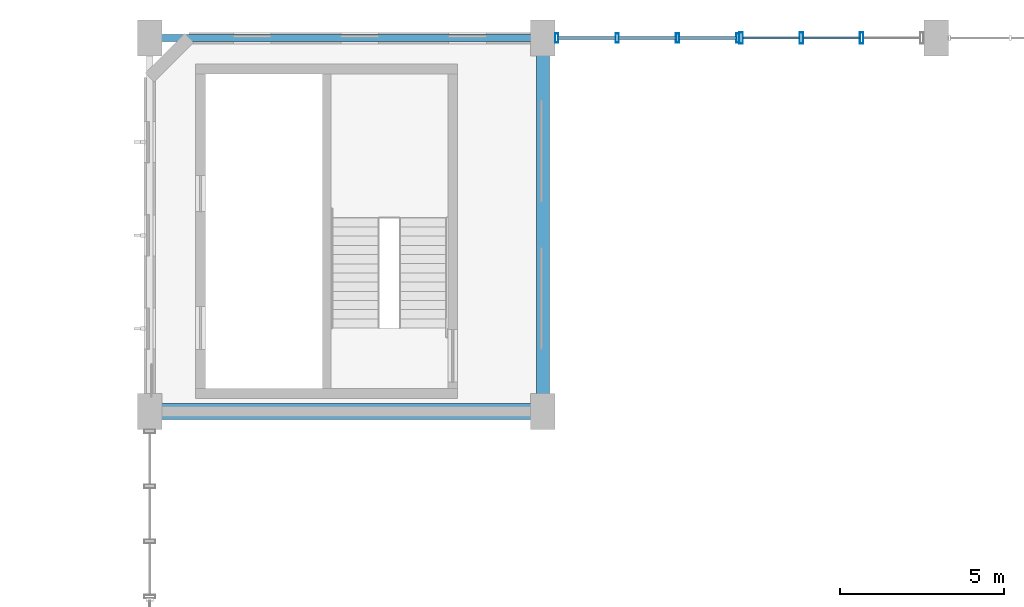
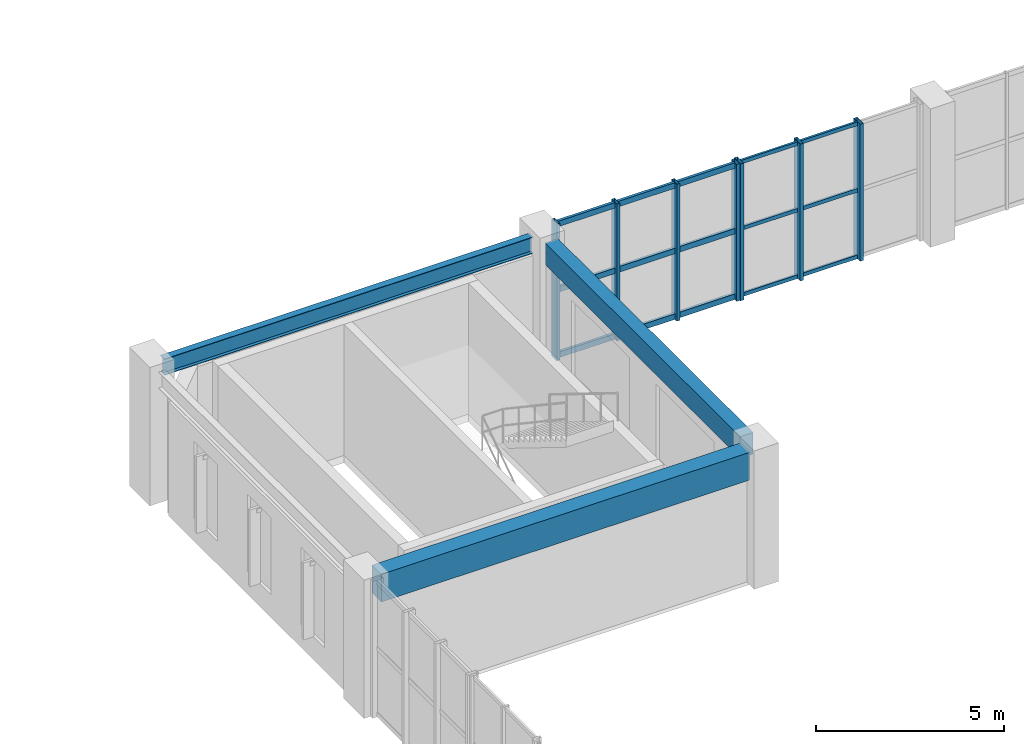
# One storey, part 50 of 80: 22 members, 3 beams, 2 elements without a shape of their own.
"""IFC4 building model written with IfcOpenShell, lengths in metres."""

from ifc_helpers import new_model, si_unit, direction, frame, origin, origin_2d, place, context, subcontext, project, spatial, rectangle, hollow_rectangle, i_section, extrude, material, layer, layer_set, material_profile, profile_set, type_object, element, aggregate, save


model = new_model("IFC4")

# Units and contexts
model_context = context("Model", 3, precision=1e-05, world=origin(), true_north=direction((0.0, 1.0)))
body_context = subcontext(model_context, "Body", "Model", "MODEL_VIEW")
ifc_project = project(units=[si_unit("LENGTHUNIT", "METRE"), si_unit("AREAUNIT", "SQUARE_METRE"), si_unit("VOLUMEUNIT", "CUBIC_METRE"), si_unit("PLANEANGLEUNIT", "RADIAN"), si_unit("MASSUNIT", "GRAM", prefix="KILO"), si_unit("POWERUNIT", "WATT"), si_unit("THERMODYNAMICTEMPERATUREUNIT", "KELVIN")], contexts=[model_context])

# Site, building, storey
site_placement = place(None, origin())
site = spatial("IfcSite", under=ifc_project, at=site_placement, CompositionType="ELEMENT")
building_placement = place(site_placement, origin())
building = spatial("IfcBuilding", under=site, at=building_placement, Name="Kelmbourne Parkland Aquatics Centre", CompositionType="ELEMENT")
storey_placement = place(building_placement, frame((0.0, 0.0, 10.199951171875)))
storey = spatial("IfcBuildingStorey", under=building, at=storey_placement, Name="L02", CompositionType="ELEMENT", Elevation=10.199951171875)

# Beams
ifc_material_1 = material(Name="Concrete C40/50", Category="concrete")
ifc_material_profile_1 = material_profile(ifc_material_1, rectangle(XDim=0.5, YDim=0.89990234375, at=origin_2d()), Name="RC 500x900")
ifc_profile_set_1 = profile_set([ifc_material_profile_1], Name="Concrete C40/50")
beam_type_1 = type_object("IfcBeamType", Name="BM-G03", PredefinedType="BEAM", material=ifc_profile_set_1)
beam_1_placement = place(storey_placement, frame((128.330078125, 103.39990234375, 3.81005859375), z_axis=(1.0, 0.0, 0.0), x_axis=(0.0, 1.0, 0.0)))
element("IfcBeam", 1, at=beam_1_placement, inside=storey, type_object=beam_type_1, Name="Primary girder P-Q Grid 13 (L03)", PredefinedType="BEAM", context=body_context, shape_type="SweptSolid", body=[
    extrude(rectangle(XDim=0.5, YDim=0.89990234375, at=origin_2d()), origin(), (0.0, 0.0, 1.0), 11.33984375),
])
ifc_material_profile_2 = material_profile(ifc_material_1, rectangle(XDim=0.39990234375, YDim=0.699951171875, at=origin_2d()), Name="RC 400x700")
ifc_profile_set_2 = profile_set([ifc_material_profile_2], Name="Concrete C40/50")
beam_type_2 = type_object("IfcBeamType", Name="BM-G05", PredefinedType="BEAM", material=ifc_profile_set_2)
beam_2_placement = place(storey_placement, frame((140.0, 103.905029296875, 3.91015625), z_axis=(0.0, 1.0, 0.0), x_axis=(-1.0, 0.0, 0.0)))
element("IfcBeam", 2, at=beam_2_placement, inside=storey, type_object=beam_type_2, Name="Primary girder 13-14 Grid Q (L03)", PredefinedType="BEAM", context=body_context, shape_type="SweptSolid", body=[
    extrude(rectangle(XDim=0.39990234375, YDim=0.699951171875, at=origin_2d()), origin(), (0.0, 0.0, 1.0), 10.389892578125),
])
ifc_material_2 = material(Name="Structural steel AS/NZS 3679.1 Grade 300", Category="steel")
ifc_material_profile_3 = material_profile(ifc_material_2, i_section(OverallWidth=0.208984375, OverallDepth=0.532958984375, WebThickness=0.01025390625, FlangeThickness=0.015625, at=origin_2d()), Name="530UB92.4")
ifc_profile_set_3 = profile_set([ifc_material_profile_3], Name="Structural steel AS/NZS 3679.1 Grade 300")
beam_type_3 = type_object("IfcBeamType", Name="BM-SP02", PredefinedType="SPANDREL", material=ifc_profile_set_3)
beam_3_placement = place(storey_placement, frame((128.330078125, 114.800048828125, 3.99365234375), z_axis=(1.0, 0.0, 0.0), x_axis=(0.0, 1.0, 0.0)))
element("IfcBeam", 3, at=beam_3_placement, inside=storey, type_object=beam_type_3, Name="Perimeter spandrel P-Q Grid 14 (L03)", PredefinedType="SPANDREL", context=body_context, shape_type="SweptSolid", body=[
    extrude(i_section(OverallWidth=0.208984375, OverallDepth=0.532958984375, WebThickness=0.01025390625, FlangeThickness=0.015625, at=origin_2d()), origin(), (0.0, 0.0, 1.0), 11.33984375),
])

# Curtain wall, members
ifc_material_3 = material(Name="Thermally broken anodised aluminium framing", Category="aluminium")
ifc_layer_1 = layer(ifc_material_3, 0.179931640625)
ifc_layer_set_1 = layer_set([ifc_layer_1], Name="Thermally broken anodised aluminium framing")
curtain_wall_type_1 = type_object("IfcCurtainWallType", Name="CW-23", PredefinedType="NOTDEFINED", material=ifc_layer_set_1)
curtain_wall_1_placement = place(storey_placement, origin())
curtain_wall_1 = element("IfcCurtainWall", 4, at=curtain_wall_1_placement, inside=storey, type_object=curtain_wall_type_1, Name="Wave-hall clerestory curtain wall CW-L02-143", PredefinedType="NOTDEFINED")
ifc_material_profile_4 = material_profile(ifc_material_3, hollow_rectangle(XDim=0.094970703125, YDim=0.280029296875, WallThickness=0.005615234375, at=origin_2d()), Name="CW-M 95x280")
ifc_profile_set_4 = profile_set([ifc_material_profile_4], Name="Thermally broken anodised aluminium framing")
member_type_1 = type_object("IfcMemberType", Name="MB-MUL-4", PredefinedType="MULLION", material=ifc_profile_set_4)
member_1_placement = place(storey_placement, frame((140.424560546875, 114.800048828125, 0.0), z_axis=(0.0, 0.0, 1.0), x_axis=(1.0, 0.0, 0.0)))
member_1 = element("IfcMember", 5, at=member_1_placement, type_object=member_type_1, Name="CW-L02-143 mullion 0", PredefinedType="MULLION", context=body_context, shape_type="SweptSolid", body=[
    extrude(hollow_rectangle(XDim=0.094970703125, YDim=0.280029296875, WallThickness=0.005615234375, at=origin_2d()), origin(), (0.0, 0.0, 1.0), 4.449951171875),
])
member_2_placement = place(storey_placement, frame((142.26708984375, 114.800048828125, 0.0), z_axis=(0.0, 0.0, 1.0), x_axis=(1.0, 0.0, 0.0)))
member_2 = element("IfcMember", 6, at=member_2_placement, type_object=member_type_1, Name="CW-L02-143 mullion 1", PredefinedType="MULLION", context=body_context, shape_type="SweptSolid", body=[
    extrude(hollow_rectangle(XDim=0.094970703125, YDim=0.280029296875, WallThickness=0.005615234375, at=origin_2d()), origin(), (0.0, 0.0, 1.0), 4.449951171875),
])
member_3_placement = place(storey_placement, frame((144.10986328125, 114.800048828125, 0.0), z_axis=(0.0, 0.0, 1.0), x_axis=(1.0, 0.0, 0.0)))
member_3 = element("IfcMember", 7, at=member_3_placement, type_object=member_type_1, Name="CW-L02-143 mullion 2", PredefinedType="MULLION", context=body_context, shape_type="SweptSolid", body=[
    extrude(hollow_rectangle(XDim=0.094970703125, YDim=0.280029296875, WallThickness=0.005615234375, at=origin_2d()), origin(), (0.0, 0.0, 1.0), 4.449951171875),
])
member_4_placement = place(storey_placement, frame((145.952392578125, 114.800048828125, 0.0), z_axis=(0.0, 0.0, 1.0), x_axis=(1.0, 0.0, 0.0)))
member_4 = element("IfcMember", 8, at=member_4_placement, type_object=member_type_1, Name="CW-L02-143 mullion 3", PredefinedType="MULLION", context=body_context, shape_type="SweptSolid", body=[
    extrude(hollow_rectangle(XDim=0.094970703125, YDim=0.280029296875, WallThickness=0.005615234375, at=origin_2d()), origin(), (0.0, 0.0, 1.0), 4.449951171875),
])

ifc_layer_2 = layer(ifc_material_3, 0.179931640625)
ifc_layer_set_2 = layer_set([ifc_layer_2], Name="Thermally broken anodised aluminium framing")
curtain_wall_type_2 = type_object("IfcCurtainWallType", Name="CW-24", PredefinedType="NOTDEFINED", material=ifc_layer_set_2)
curtain_wall_2_placement = place(storey_placement, origin())
curtain_wall_2 = element("IfcCurtainWall", 9, at=curtain_wall_2_placement, inside=storey, type_object=curtain_wall_type_2, Name="Wave-hall clerestory curtain wall CW-L02-144", PredefinedType="NOTDEFINED")
ifc_material_profile_5 = material_profile(ifc_material_3, hollow_rectangle(XDim=0.10498046875, YDim=0.340087890625, WallThickness=0.006103515625, at=origin_2d()), Name="CW-M 105x340")
ifc_profile_set_5 = profile_set([ifc_material_profile_5], Name="Thermally broken anodised aluminium framing")
member_type_2 = type_object("IfcMemberType", Name="MB-MUL-5", PredefinedType="MULLION", material=ifc_profile_set_5)
member_5_placement = place(storey_placement, frame((146.052490234375, 114.800048828125, 0.0), z_axis=(0.0, 0.0, 1.0), x_axis=(1.0, 0.0, 0.0)))
member_5 = element("IfcMember", 10, at=member_5_placement, type_object=member_type_2, Name="CW-L02-144 mullion 0", PredefinedType="MULLION", context=body_context, shape_type="SweptSolid", body=[
    extrude(hollow_rectangle(XDim=0.10498046875, YDim=0.340087890625, WallThickness=0.006103515625, at=origin_2d()), origin(), (0.0, 0.0, 1.0), 4.449951171875),
])
member_6_placement = place(storey_placement, frame((147.891845703125, 114.800048828125, 0.0), z_axis=(0.0, 0.0, 1.0), x_axis=(1.0, 0.0, 0.0)))
member_6 = element("IfcMember", 11, at=member_6_placement, type_object=member_type_2, Name="CW-L02-144 mullion 1", PredefinedType="MULLION", context=body_context, shape_type="SweptSolid", body=[
    extrude(hollow_rectangle(XDim=0.10498046875, YDim=0.340087890625, WallThickness=0.006103515625, at=origin_2d()), origin(), (0.0, 0.0, 1.0), 4.449951171875),
])
member_7_placement = place(storey_placement, frame((149.731201171875, 114.800048828125, 0.0), z_axis=(0.0, 0.0, 1.0), x_axis=(1.0, 0.0, 0.0)))
member_7 = element("IfcMember", 12, at=member_7_placement, type_object=member_type_2, Name="CW-L02-144 mullion 2", PredefinedType="MULLION", context=body_context, shape_type="SweptSolid", body=[
    extrude(hollow_rectangle(XDim=0.10498046875, YDim=0.340087890625, WallThickness=0.006103515625, at=origin_2d()), origin(), (0.0, 0.0, 1.0), 4.449951171875),
])
ifc_material_profile_6 = material_profile(ifc_material_3, hollow_rectangle(XDim=0.06494140625, YDim=0.1201171875, WallThickness=0.00341796875, at=origin_2d()), Name="CW-T 65x120")
ifc_profile_set_6 = profile_set([ifc_material_profile_6], Name="Thermally broken anodised aluminium framing")
member_type_3 = type_object("IfcMemberType", Name="MB-TRN-1", PredefinedType="USERDEFINED", material=ifc_profile_set_6)
member_8_placement = place(storey_placement, frame((146.10107421875, 114.800048828125, 0.06298828125), z_axis=(1.0, 0.0, 0.0), x_axis=(0.0, 1.0, 0.0)))
member_8 = element("IfcMember", 13, at=member_8_placement, type_object=member_type_3, Name="CW-L02-144 transom 0-0", ObjectType="TRANSOM", PredefinedType="USERDEFINED", context=body_context, shape_type="SweptSolid", body=[
    extrude(hollow_rectangle(XDim=0.06494140625, YDim=0.1201171875, WallThickness=0.00341796875, at=origin_2d()), origin(), (0.0, 0.0, 1.0), 1.7421875),
])
member_9_placement = place(storey_placement, frame((147.940185546875, 114.800048828125, 0.06298828125), z_axis=(1.0, 0.0, 0.0), x_axis=(0.0, 1.0, 0.0)))
member_9 = element("IfcMember", 14, at=member_9_placement, type_object=member_type_3, Name="CW-L02-144 transom 0-1", ObjectType="TRANSOM", PredefinedType="USERDEFINED", context=body_context, shape_type="SweptSolid", body=[
    extrude(hollow_rectangle(XDim=0.06494140625, YDim=0.1201171875, WallThickness=0.00341796875, at=origin_2d()), origin(), (0.0, 0.0, 1.0), 1.742431640625),
])
member_10_placement = place(storey_placement, frame((146.10107421875, 114.800048828125, 2.22509765625), z_axis=(1.0, 0.0, 0.0), x_axis=(0.0, 1.0, 0.0)))
member_10 = element("IfcMember", 15, at=member_10_placement, type_object=member_type_3, Name="CW-L02-144 transom 1-0", ObjectType="TRANSOM", PredefinedType="USERDEFINED", context=body_context, shape_type="SweptSolid", body=[
    extrude(hollow_rectangle(XDim=0.06494140625, YDim=0.1201171875, WallThickness=0.00341796875, at=origin_2d()), origin(), (0.0, 0.0, 1.0), 1.7421875),
])
member_11_placement = place(storey_placement, frame((147.940185546875, 114.800048828125, 2.22509765625), z_axis=(1.0, 0.0, 0.0), x_axis=(0.0, 1.0, 0.0)))
member_11 = element("IfcMember", 16, at=member_11_placement, type_object=member_type_3, Name="CW-L02-144 transom 1-1", ObjectType="TRANSOM", PredefinedType="USERDEFINED", context=body_context, shape_type="SweptSolid", body=[
    extrude(hollow_rectangle(XDim=0.06494140625, YDim=0.1201171875, WallThickness=0.00341796875, at=origin_2d()), origin(), (0.0, 0.0, 1.0), 1.742431640625),
])
member_12_placement = place(storey_placement, frame((146.10107421875, 114.800048828125, 4.386962890625), z_axis=(1.0, 0.0, 0.0), x_axis=(0.0, 1.0, 0.0)))
member_12 = element("IfcMember", 17, at=member_12_placement, type_object=member_type_3, Name="CW-L02-144 transom 2-0", ObjectType="TRANSOM", PredefinedType="USERDEFINED", context=body_context, shape_type="SweptSolid", body=[
    extrude(hollow_rectangle(XDim=0.06494140625, YDim=0.1201171875, WallThickness=0.00341796875, at=origin_2d()), origin(), (0.0, 0.0, 1.0), 1.7421875),
])
member_13_placement = place(storey_placement, frame((147.940185546875, 114.800048828125, 4.386962890625), z_axis=(1.0, 0.0, 0.0), x_axis=(0.0, 1.0, 0.0)))
member_13 = element("IfcMember", 18, at=member_13_placement, type_object=member_type_3, Name="CW-L02-144 transom 2-1", ObjectType="TRANSOM", PredefinedType="USERDEFINED", context=body_context, shape_type="SweptSolid", body=[
    extrude(hollow_rectangle(XDim=0.06494140625, YDim=0.1201171875, WallThickness=0.00341796875, at=origin_2d()), origin(), (0.0, 0.0, 1.0), 1.742431640625),
])
aggregate(curtain_wall_2, [member_5, member_6, member_7, member_8, member_9, member_10, member_11, member_12, member_13])

# Member
ifc_material_profile_7 = material_profile(ifc_material_3, hollow_rectangle(XDim=0.0849609375, YDim=0.179931640625, WallThickness=0.00439453125, at=origin_2d()), Name="CW-T 85x180")
ifc_profile_set_7 = profile_set([ifc_material_profile_7], Name="Thermally broken anodised aluminium framing")
member_type_4 = type_object("IfcMemberType", Name="MB-TRN-3", PredefinedType="USERDEFINED", material=ifc_profile_set_7)
member_14_placement = place(storey_placement, frame((140.468017578125, 114.800048828125, 0.093017578125), z_axis=(1.0, 0.0, 0.0), x_axis=(0.0, 1.0, 0.0)))
member_14 = element("IfcMember", 19, at=member_14_placement, type_object=member_type_4, Name="CW-L02-143 transom 0-0", ObjectType="TRANSOM", PredefinedType="USERDEFINED", context=body_context, shape_type="SweptSolid", body=[
    extrude(hollow_rectangle(XDim=0.0849609375, YDim=0.179931640625, WallThickness=0.00439453125, at=origin_2d()), origin(), (0.0, 0.0, 1.0), 1.755615234375),
])

member_15_placement = place(storey_placement, frame((142.310791015625, 114.800048828125, 0.093017578125), z_axis=(1.0, 0.0, 0.0), x_axis=(0.0, 1.0, 0.0)))
member_15 = element("IfcMember", 20, at=member_15_placement, type_object=member_type_4, Name="CW-L02-143 transom 0-1", ObjectType="TRANSOM", PredefinedType="USERDEFINED", context=body_context, shape_type="SweptSolid", body=[
    extrude(hollow_rectangle(XDim=0.0849609375, YDim=0.179931640625, WallThickness=0.00439453125, at=origin_2d()), origin(), (0.0, 0.0, 1.0), 1.755615234375),
])

member_16_placement = place(storey_placement, frame((144.1533203125, 114.800048828125, 0.093017578125), z_axis=(1.0, 0.0, 0.0), x_axis=(0.0, 1.0, 0.0)))
member_16 = element("IfcMember", 21, at=member_16_placement, type_object=member_type_4, Name="CW-L02-143 transom 0-2", ObjectType="TRANSOM", PredefinedType="USERDEFINED", context=body_context, shape_type="SweptSolid", body=[
    extrude(hollow_rectangle(XDim=0.0849609375, YDim=0.179931640625, WallThickness=0.00439453125, at=origin_2d()), origin(), (0.0, 0.0, 1.0), 1.755615234375),
])

member_17_placement = place(storey_placement, frame((140.468017578125, 114.800048828125, 2.22509765625), z_axis=(1.0, 0.0, 0.0), x_axis=(0.0, 1.0, 0.0)))
member_17 = element("IfcMember", 22, at=member_17_placement, type_object=member_type_4, Name="CW-L02-143 transom 1-0", ObjectType="TRANSOM", PredefinedType="USERDEFINED", context=body_context, shape_type="SweptSolid", body=[
    extrude(hollow_rectangle(XDim=0.0849609375, YDim=0.179931640625, WallThickness=0.00439453125, at=origin_2d()), origin(), (0.0, 0.0, 1.0), 1.755615234375),
])

member_18_placement = place(storey_placement, frame((142.310791015625, 114.800048828125, 2.22509765625), z_axis=(1.0, 0.0, 0.0), x_axis=(0.0, 1.0, 0.0)))
member_18 = element("IfcMember", 23, at=member_18_placement, type_object=member_type_4, Name="CW-L02-143 transom 1-1", ObjectType="TRANSOM", PredefinedType="USERDEFINED", context=body_context, shape_type="SweptSolid", body=[
    extrude(hollow_rectangle(XDim=0.0849609375, YDim=0.179931640625, WallThickness=0.00439453125, at=origin_2d()), origin(), (0.0, 0.0, 1.0), 1.755615234375),
])

member_19_placement = place(storey_placement, frame((144.1533203125, 114.800048828125, 2.22509765625), z_axis=(1.0, 0.0, 0.0), x_axis=(0.0, 1.0, 0.0)))
member_19 = element("IfcMember", 24, at=member_19_placement, type_object=member_type_4, Name="CW-L02-143 transom 1-2", ObjectType="TRANSOM", PredefinedType="USERDEFINED", context=body_context, shape_type="SweptSolid", body=[
    extrude(hollow_rectangle(XDim=0.0849609375, YDim=0.179931640625, WallThickness=0.00439453125, at=origin_2d()), origin(), (0.0, 0.0, 1.0), 1.755615234375),
])

member_20_placement = place(storey_placement, frame((140.468017578125, 114.800048828125, 4.35693359375), z_axis=(1.0, 0.0, 0.0), x_axis=(0.0, 1.0, 0.0)))
member_20 = element("IfcMember", 25, at=member_20_placement, type_object=member_type_4, Name="CW-L02-143 transom 2-0", ObjectType="TRANSOM", PredefinedType="USERDEFINED", context=body_context, shape_type="SweptSolid", body=[
    extrude(hollow_rectangle(XDim=0.0849609375, YDim=0.179931640625, WallThickness=0.00439453125, at=origin_2d()), origin(), (0.0, 0.0, 1.0), 1.755615234375),
])

member_21_placement = place(storey_placement, frame((142.310791015625, 114.800048828125, 4.35693359375), z_axis=(1.0, 0.0, 0.0), x_axis=(0.0, 1.0, 0.0)))
member_21 = element("IfcMember", 26, at=member_21_placement, type_object=member_type_4, Name="CW-L02-143 transom 2-1", ObjectType="TRANSOM", PredefinedType="USERDEFINED", context=body_context, shape_type="SweptSolid", body=[
    extrude(hollow_rectangle(XDim=0.0849609375, YDim=0.179931640625, WallThickness=0.00439453125, at=origin_2d()), origin(), (0.0, 0.0, 1.0), 1.755615234375),
])

member_22_placement = place(storey_placement, frame((144.1533203125, 114.800048828125, 4.35693359375), z_axis=(1.0, 0.0, 0.0), x_axis=(0.0, 1.0, 0.0)))
member_22 = element("IfcMember", 27, at=member_22_placement, type_object=member_type_4, Name="CW-L02-143 transom 2-2", ObjectType="TRANSOM", PredefinedType="USERDEFINED", context=body_context, shape_type="SweptSolid", body=[
    extrude(hollow_rectangle(XDim=0.0849609375, YDim=0.179931640625, WallThickness=0.00439453125, at=origin_2d()), origin(), (0.0, 0.0, 1.0), 1.755615234375),
])

aggregate(curtain_wall_1, [member_1, member_2, member_3, member_4, member_14, member_15, member_16, member_17, member_18, member_19, member_20, member_21, member_22])

save(model, "model.ifc")
